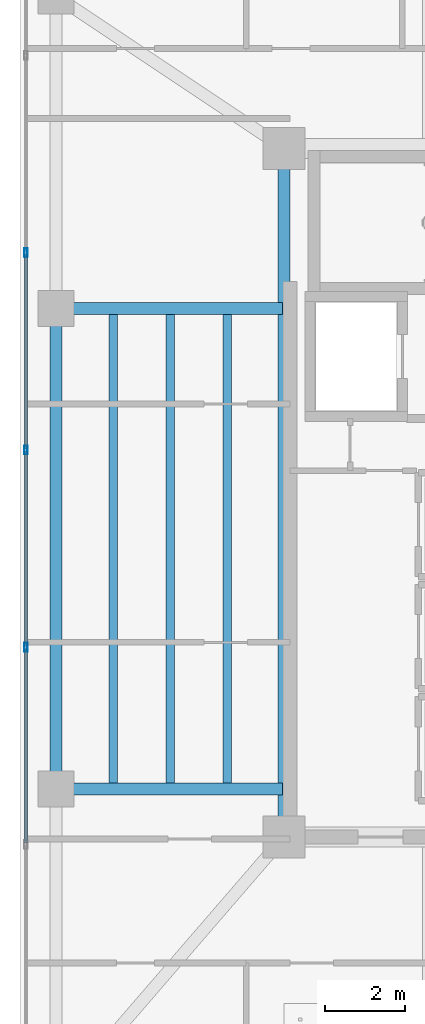
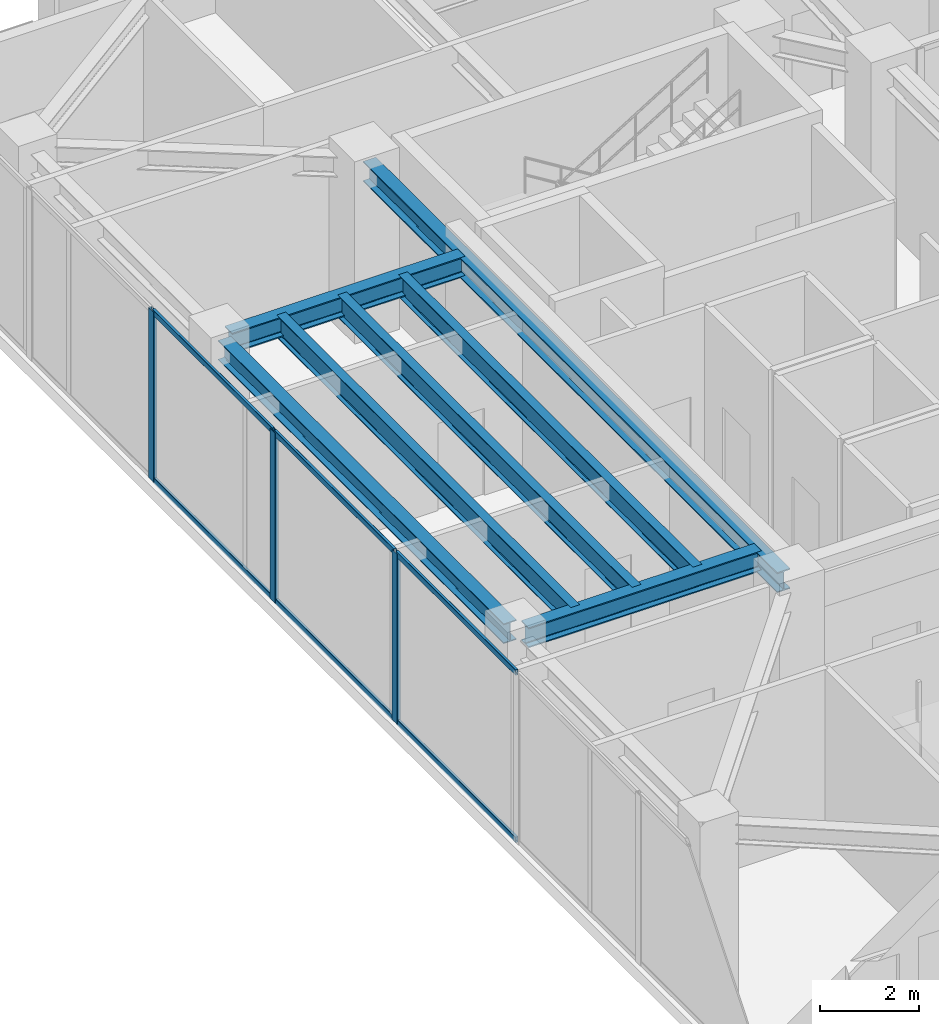
# One storey, part 8 of 33: 9 members, 7 beams, 1 element without a shape of its own.
"""IFC4 building model written with IfcOpenShell, lengths in metres."""

from ifc_helpers import new_model, si_unit, direction, frame, origin, origin_2d, place, context, subcontext, project, spatial, hollow_rectangle, i_section, extrude, material, layer, layer_set, material_profile, profile_set, type_object, element, aggregate, save


model = new_model("IFC4")

# Units and contexts
model_context = context("Model", 3, precision=1e-05, world=origin(), true_north=direction((0.0, 1.0)))
body_context = subcontext(model_context, "Body", "Model", "MODEL_VIEW")
ifc_project = project(units=[si_unit("LENGTHUNIT", "METRE"), si_unit("AREAUNIT", "SQUARE_METRE"), si_unit("VOLUMEUNIT", "CUBIC_METRE"), si_unit("PLANEANGLEUNIT", "RADIAN"), si_unit("MASSUNIT", "GRAM", prefix="KILO")], contexts=[model_context])

# Site, building, storey
site_placement = place(None, origin())
site = spatial("IfcSite", under=ifc_project, at=site_placement, CompositionType="ELEMENT")
building_placement = place(site_placement, origin())
building = spatial("IfcBuilding", under=site, at=building_placement, Name="Tarnavaz Court Tower", CompositionType="ELEMENT")
storey_placement = place(building_placement, frame((0.0, 0.0, 177.300048828125)))
storey = spatial("IfcBuildingStorey", under=building, at=storey_placement, Name="L48", CompositionType="ELEMENT", Elevation=177.300048828125)

# Beams
ifc_material_1 = material(Name="Steel S355", Category="steel")
ifc_material_profile_1 = material_profile(ifc_material_1, i_section(OverallWidth=0.300048828125, OverallDepth=0.5, WebThickness=0.014404296875, FlangeThickness=0.028076171875, FilletRadius=0.027099609375, at=origin_2d()), Name="HEB 500")
ifc_profile_set_1 = profile_set([ifc_material_profile_1], Name="Steel S355")
beam_type_1 = type_object("IfcBeamType", Name="BM-G-HEB500", PredefinedType="USERDEFINED", material=ifc_profile_set_1)
beam_1_placement = place(storey_placement, frame((-18.60009765625, -6.97998046875, 3.949951171875), z_axis=(0.0, 1.0, 0.0), x_axis=(-1.0, 0.0, 0.0)))
element("IfcBeam", 1, at=beam_1_placement, inside=storey, type_object=beam_type_1, Name="L48 Beam IN-CW-SO-CW-NO", ObjectType="GIRDER", PredefinedType="USERDEFINED", context=body_context, shape_type="SweptSolid", body=[
    extrude(i_section(OverallWidth=0.300048828125, OverallDepth=0.5, WebThickness=0.014404296875, FlangeThickness=0.028076171875, FilletRadius=0.027099609375, at=origin_2d()), origin(), (0.0, 0.0, 1.0), 16.760009765625),
])
for number, where, z_axis, x_axis, name in (
    (2, (-18.639892578125, -6.0, 3.949951171875), (-1.0, 0.0, 0.0), (0.0, -1.0, 0.0), "L48 Beam RG-13"),
    (3, (-18.639892578125, 6.0, 3.949951171875), (-1.0, 0.0, 0.0), (0.0, -1.0, 0.0), "L48 Beam RG-14"),
):
    element("IfcBeam", number, at=place(storey_placement, frame(where, z_axis=z_axis, x_axis=x_axis)), inside=storey, type_object=beam_type_1, Name=name, ObjectType="GIRDER", PredefinedType="USERDEFINED", context=body_context, shape_type="SweptSolid", body=[
        extrude(i_section(OverallWidth=0.300048828125, OverallDepth=0.5, WebThickness=0.014404296875, FlangeThickness=0.028076171875, FilletRadius=0.027099609375, at=origin_2d()), origin(), (0.0, 0.0, 1.0), 5.440185546875),
    ])
ifc_material_profile_2 = material_profile(ifc_material_1, i_section(OverallWidth=0.2099609375, OverallDepth=0.550048828125, WebThickness=0.010986328125, FlangeThickness=0.01708984375, FilletRadius=0.02392578125, at=origin_2d()), Name="IPE 550")
ifc_profile_set_2 = profile_set([ifc_material_profile_2], Name="Steel S355")
beam_type_2 = type_object("IfcBeamType", Name="BM-J-IPE550", PredefinedType="JOIST", material=ifc_profile_set_2)
for number, where, z_axis, x_axis, name in (
    (4, (-20.02490234375, -5.9599609375, 3.925048828125), (0.0, 1.0, 0.0), (-1.0, 0.0, 0.0), "L48 Beam JW1"),
    (5, (-21.449951171875, -5.9599609375, 3.925048828125), (0.0, 1.0, 0.0), (-1.0, 0.0, 0.0), "L48 Beam JW2"),
    (6, (-22.875, -5.9599609375, 3.925048828125), (0.0, 1.0, 0.0), (-1.0, 0.0, 0.0), "L48 Beam JW3"),
):
    element("IfcBeam", number, at=place(storey_placement, frame(where, z_axis=z_axis, x_axis=x_axis)), inside=storey, type_object=beam_type_2, Name=name, PredefinedType="JOIST", context=body_context, shape_type="SweptSolid", body=[
        extrude(i_section(OverallWidth=0.2099609375, OverallDepth=0.550048828125, WebThickness=0.010986328125, FlangeThickness=0.01708984375, FilletRadius=0.02392578125, at=origin_2d()), origin(), (0.0, 0.0, 1.0), 11.919921875),
    ])
ifc_material_profile_3 = material_profile(ifc_material_1, i_section(OverallWidth=0.300048828125, OverallDepth=0.489990234375, WebThickness=0.011962890625, FlangeThickness=0.02294921875, FilletRadius=0.027099609375, at=origin_2d()), Name="HEA 500")
ifc_profile_set_3 = profile_set([ifc_material_profile_3], Name="Steel S355")
beam_type_3 = type_object("IfcBeamType", Name="BM-SP-HEA500", PredefinedType="SPANDREL", material=ifc_profile_set_3)
beam_2_placement = place(storey_placement, frame((-24.300048828125, -5.780029296875, 3.954833984375), z_axis=(0.0, 1.0, 0.0), x_axis=(-1.0, 0.0, 0.0)))
element("IfcBeam", 7, at=beam_2_placement, inside=storey, type_object=beam_type_3, Name="L48 Beam PR-PW-2-PW-3", PredefinedType="SPANDREL", context=body_context, shape_type="SweptSolid", body=[
    extrude(i_section(OverallWidth=0.300048828125, OverallDepth=0.489990234375, WebThickness=0.011962890625, FlangeThickness=0.02294921875, FilletRadius=0.027099609375, at=origin_2d()), origin(), (0.0, 0.0, 1.0), 11.56005859375),
])

# Curtain wall, members
ifc_material_2 = material(Name="Anodised Aluminium 6063-T6 and Solar Low-E Glazing", Category="aluminium")
ifc_layer = layer(ifc_material_2, 0.199951171875)
ifc_layer_set = layer_set([ifc_layer], Name="Anodised Aluminium 6063-T6 and Solar Low-E Glazing")
curtain_wall_type = type_object("IfcCurtainWallType", Name="CW-SYS-05", PredefinedType="NOTDEFINED", material=ifc_layer_set)
curtain_wall_placement = place(storey_placement, origin())
curtain_wall = element("IfcCurtainWall", 8, at=curtain_wall_placement, inside=storey, type_object=curtain_wall_type, Name="L48 Sky-Portal Curtain Wall 2", PredefinedType="NOTDEFINED")
ifc_material_3 = material(Name="Anodised Aluminium 6063-T6", Category="aluminium")
ifc_material_profile_4 = material_profile(ifc_material_3, hollow_rectangle(XDim=0.0849609375, YDim=0.219970703125, WallThickness=0.006103515625, InnerFilletRadius=0.006103515625, OuterFilletRadius=0.011962890625, at=origin_2d()), Name="ALU RHS 220X85X6")
ifc_profile_set_4 = profile_set([ifc_material_profile_4], Name="Anodised Aluminium 6063-T6")
member_type_1 = type_object("IfcMemberType", Name="CW-MUL-220", PredefinedType="MULLION", material=ifc_profile_set_4)
member_1_placement = place(storey_placement, frame((-25.050048828125, -2.46435546875, 0.0), z_axis=(0.0, 0.0, 1.0), x_axis=(-1.0, 0.0, 0.0)))
member_1 = element("IfcMember", 9, at=member_1_placement, type_object=member_type_1, Name="CW mullion 4", PredefinedType="MULLION", context=body_context, shape_type="SweptSolid", body=[
    extrude(hollow_rectangle(XDim=0.0849609375, YDim=0.219970703125, WallThickness=0.006103515625, InnerFilletRadius=0.006103515625, OuterFilletRadius=0.011962890625, at=origin_2d()), origin(), (0.0, 0.0, 1.0), 4.199951171875),
])
member_2_placement = place(storey_placement, frame((-25.050048828125, 2.46435546875, 0.0), z_axis=(0.0, 0.0, 1.0), x_axis=(-1.0, 0.0, 0.0)))
member_2 = element("IfcMember", 10, at=member_2_placement, type_object=member_type_1, Name="CW mullion 5", PredefinedType="MULLION", context=body_context, shape_type="SweptSolid", body=[
    extrude(hollow_rectangle(XDim=0.0849609375, YDim=0.219970703125, WallThickness=0.006103515625, InnerFilletRadius=0.006103515625, OuterFilletRadius=0.011962890625, at=origin_2d()), origin(), (0.0, 0.0, 1.0), 4.199951171875),
])
member_3_placement = place(storey_placement, frame((-25.050048828125, 7.392822265625, 0.0), z_axis=(0.0, 0.0, 1.0), x_axis=(-1.0, 0.0, 0.0)))
member_3 = element("IfcMember", 11, at=member_3_placement, type_object=member_type_1, Name="CW mullion 6", PredefinedType="MULLION", context=body_context, shape_type="SweptSolid", body=[
    extrude(hollow_rectangle(XDim=0.0849609375, YDim=0.219970703125, WallThickness=0.006103515625, InnerFilletRadius=0.006103515625, OuterFilletRadius=0.011962890625, at=origin_2d()), origin(), (0.0, 0.0, 1.0), 4.199951171875),
])
ifc_material_profile_5 = material_profile(ifc_material_3, hollow_rectangle(XDim=0.06494140625, YDim=0.139892578125, WallThickness=0.00390625, InnerFilletRadius=0.00390625, OuterFilletRadius=0.008056640625, at=origin_2d()), Name="ALU RHS 140X65X4")
ifc_profile_set_5 = profile_set([ifc_material_profile_5], Name="Anodised Aluminium 6063-T6")
member_type_2 = type_object("IfcMemberType", Name="CW-TRN-140", PredefinedType="USERDEFINED", material=ifc_profile_set_5)
member_4_placement = place(storey_placement, frame((-25.050048828125, -7.350341796875, 0.032470703125), z_axis=(0.0, 1.0, 0.0), x_axis=(-1.0, 0.0, 0.0)))
member_4 = element("IfcMember", 12, at=member_4_placement, type_object=member_type_2, Name="CW transom 3.1", ObjectType="TRANSOM", PredefinedType="USERDEFINED", context=body_context, shape_type="SweptSolid", body=[
    extrude(hollow_rectangle(XDim=0.06494140625, YDim=0.139892578125, WallThickness=0.00390625, InnerFilletRadius=0.00390625, OuterFilletRadius=0.008056640625, at=origin_2d()), origin(), (0.0, 0.0, 1.0), 4.843505859375),
])
member_5_placement = place(storey_placement, frame((-25.050048828125, -7.350341796875, 4.16748046875), z_axis=(0.0, 1.0, 0.0), x_axis=(-1.0, 0.0, 0.0)))
member_5 = element("IfcMember", 13, at=member_5_placement, type_object=member_type_2, Name="CW transom 3.2", ObjectType="TRANSOM", PredefinedType="USERDEFINED", context=body_context, shape_type="SweptSolid", body=[
    extrude(hollow_rectangle(XDim=0.06494140625, YDim=0.139892578125, WallThickness=0.00390625, InnerFilletRadius=0.00390625, OuterFilletRadius=0.008056640625, at=origin_2d()), origin(), (0.0, 0.0, 1.0), 4.843505859375),
])
member_6_placement = place(storey_placement, frame((-25.050048828125, -2.421875, 0.032470703125), z_axis=(0.0, 1.0, 0.0), x_axis=(-1.0, 0.0, 0.0)))
member_6 = element("IfcMember", 14, at=member_6_placement, type_object=member_type_2, Name="CW transom 4.1", ObjectType="TRANSOM", PredefinedType="USERDEFINED", context=body_context, shape_type="SweptSolid", body=[
    extrude(hollow_rectangle(XDim=0.06494140625, YDim=0.139892578125, WallThickness=0.00390625, InnerFilletRadius=0.00390625, OuterFilletRadius=0.008056640625, at=origin_2d()), origin(), (0.0, 0.0, 1.0), 4.84375),
])
member_7_placement = place(storey_placement, frame((-25.050048828125, -2.421875, 4.16748046875), z_axis=(0.0, 1.0, 0.0), x_axis=(-1.0, 0.0, 0.0)))
member_7 = element("IfcMember", 15, at=member_7_placement, type_object=member_type_2, Name="CW transom 4.2", ObjectType="TRANSOM", PredefinedType="USERDEFINED", context=body_context, shape_type="SweptSolid", body=[
    extrude(hollow_rectangle(XDim=0.06494140625, YDim=0.139892578125, WallThickness=0.00390625, InnerFilletRadius=0.00390625, OuterFilletRadius=0.008056640625, at=origin_2d()), origin(), (0.0, 0.0, 1.0), 4.84375),
])
member_8_placement = place(storey_placement, frame((-25.050048828125, 2.5068359375, 0.032470703125), z_axis=(0.0, 1.0, 0.0), x_axis=(-1.0, 0.0, 0.0)))
member_8 = element("IfcMember", 16, at=member_8_placement, type_object=member_type_2, Name="CW transom 5.1", ObjectType="TRANSOM", PredefinedType="USERDEFINED", context=body_context, shape_type="SweptSolid", body=[
    extrude(hollow_rectangle(XDim=0.06494140625, YDim=0.139892578125, WallThickness=0.00390625, InnerFilletRadius=0.00390625, OuterFilletRadius=0.008056640625, at=origin_2d()), origin(), (0.0, 0.0, 1.0), 4.843505859375),
])
member_9_placement = place(storey_placement, frame((-25.050048828125, 2.5068359375, 4.16748046875), z_axis=(0.0, 1.0, 0.0), x_axis=(-1.0, 0.0, 0.0)))
member_9 = element("IfcMember", 17, at=member_9_placement, type_object=member_type_2, Name="CW transom 5.2", ObjectType="TRANSOM", PredefinedType="USERDEFINED", context=body_context, shape_type="SweptSolid", body=[
    extrude(hollow_rectangle(XDim=0.06494140625, YDim=0.139892578125, WallThickness=0.00390625, InnerFilletRadius=0.00390625, OuterFilletRadius=0.008056640625, at=origin_2d()), origin(), (0.0, 0.0, 1.0), 4.843505859375),
])
aggregate(curtain_wall, [member_1, member_2, member_3, member_4, member_5, member_6, member_7, member_8, member_9])

save(model, "model.ifc")
